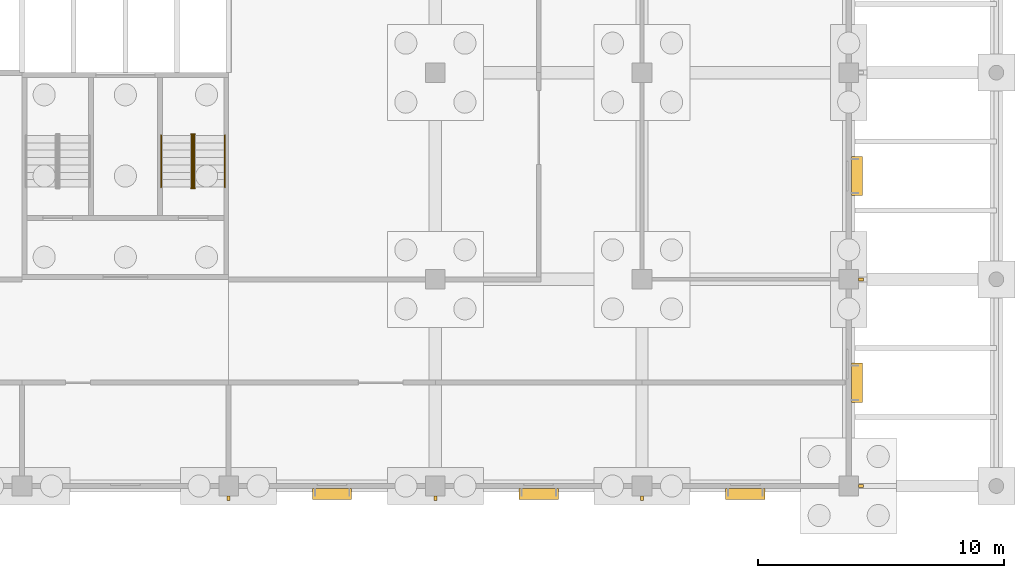
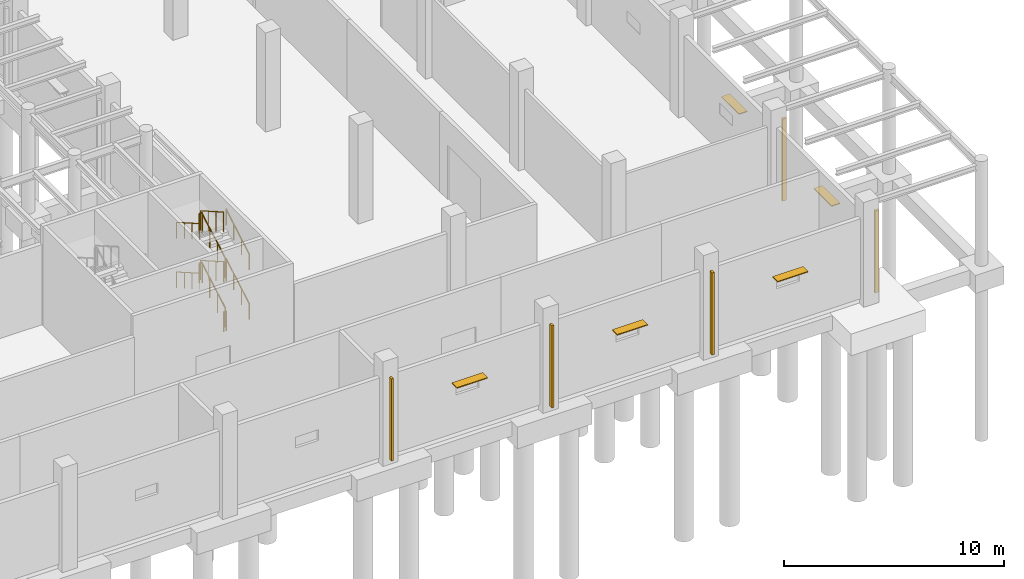
# One storey, part 75 of 82: 12 railings, 10 shading devices.
"""IFC4 building model written with IfcOpenShell, lengths in metres."""

from ifc_helpers import new_model, si_unit, direction, frame, origin, origin_2d, place, context, subcontext, project, spatial, rectangle, circle, extrude, material, material_profile, profile_set, type_object, element, save


model = new_model("IFC4")

# Units and contexts
model_context = context("Model", 3, precision=1e-05, world=origin(), true_north=direction((0.0, 1.0)))
body_context = subcontext(model_context, "Body", "Model", "MODEL_VIEW")
ifc_project = project(units=[si_unit("LENGTHUNIT", "METRE"), si_unit("AREAUNIT", "SQUARE_METRE"), si_unit("VOLUMEUNIT", "CUBIC_METRE"), si_unit("PLANEANGLEUNIT", "RADIAN"), si_unit("MASSUNIT", "GRAM", prefix="KILO")], contexts=[model_context])

# Site, building, storey
site_placement = place(None, origin())
site = spatial("IfcSite", under=ifc_project, at=site_placement, CompositionType="ELEMENT")
building_placement = place(site_placement, origin())
building = spatial("IfcBuilding", under=site, at=building_placement, Name="Almond Square Museum", CompositionType="ELEMENT")
storey_placement = place(building_placement, origin())
storey = spatial("IfcBuildingStorey", under=building, at=storey_placement, Name="L00", CompositionType="ELEMENT", Elevation=0.0)

# Railings
ifc_material_1 = material(Name="Stainless steel and laminated glass", Category="steel")
railing_type_1 = type_object("IfcRailingType", Name="Stair guard 1100 steel and glass", PredefinedType="GUARDRAIL", material=ifc_material_1)
railing_1_placement = place(storey_placement, frame((130.590087890625, 12.14990234375, 0.171875)))
element("IfcRailing", 1, at=railing_1_placement, inside=storey, type_object=railing_type_1, Name="L00 ST-32 stair guard 1", PredefinedType="GUARDRAIL", context=body_context, shape_type="SweptSolid", body=[
    extrude(circle(Radius=0.02392578125, at=origin_2d()), frame((0.0, 0.0, 1.076171875), z_axis=(0.0, 0.867696358075, 0.497094588769), x_axis=(-1.0, 0.0, 0.0)), (0.0, 0.0, 1.0), 2.42041015625),
    extrude(circle(Radius=0.02099609375, at=origin_2d()), origin(), (0.0, 0.0, 1.0), 1.052001953125),
    extrude(circle(Radius=0.02099609375, at=origin_2d()), frame((0.0, 0.699951171875, 0.401123046875)), (0.0, 0.0, 1.0), 1.052001953125),
    extrude(circle(Radius=0.02099609375, at=origin_2d()), frame((0.0, 1.400146484375, 0.802001953125)), (0.0, 0.0, 1.0), 1.052001953125),
    extrude(circle(Radius=0.02099609375, at=origin_2d()), frame((0.0, 2.10009765625, 1.203125)), (0.0, 0.0, 1.0), 1.052001953125),
])
railing_2_placement = place(storey_placement, frame((130.6201171875, 14.300048828125, 1.375)))
element("IfcRailing", 2, at=railing_2_placement, inside=storey, type_object=railing_type_1, Name="L00 ST-32 stair guard 2", PredefinedType="GUARDRAIL", context=body_context, shape_type="SweptSolid", body=[
    extrude(circle(Radius=0.02392578125, at=origin_2d()), frame((0.0, 0.0, 1.076171875), z_axis=(-1.0, 0.0, 0.0), x_axis=(0.0, -1.0, 0.0)), (0.0, 0.0, 1.0), 0.14013671875),
    extrude(circle(Radius=0.02099609375, at=origin_2d()), origin(), (0.0, 0.0, 1.0), 1.052001953125),
    extrude(circle(Radius=0.02099609375, at=origin_2d()), frame((-0.14013671875, 0.0, 0.0)), (0.0, 0.0, 1.0), 1.052001953125),
])
railing_3_placement = place(storey_placement, frame((130.510009765625, 14.25, 1.546875)))
element("IfcRailing", 3, at=railing_3_placement, inside=storey, type_object=railing_type_1, Name="L00 ST-32 stair guard 3", PredefinedType="GUARDRAIL", context=body_context, shape_type="SweptSolid", body=[
    extrude(circle(Radius=0.02392578125, at=origin_2d()), frame((0.0, 0.0, 1.076171875), z_axis=(0.0, -0.867696358075, 0.497094588769), x_axis=(1.0, 0.0, 0.0)), (0.0, 0.0, 1.0), 2.42041015625),
    extrude(circle(Radius=0.02099609375, at=origin_2d()), origin(), (0.0, 0.0, 1.0), 1.052001953125),
    extrude(circle(Radius=0.02099609375, at=origin_2d()), frame((0.0, -0.699951171875, 0.401123046875)), (0.0, 0.0, 1.0), 1.052001953125),
    extrude(circle(Radius=0.02099609375, at=origin_2d()), frame((0.0, -1.400146484375, 0.802001953125)), (0.0, 0.0, 1.0), 1.052001953125),
    extrude(circle(Radius=0.02099609375, at=origin_2d()), frame((0.0, -2.10009765625, 1.203125)), (0.0, 0.0, 1.0), 1.052001953125),
])
railing_4_placement = place(storey_placement, frame((130.6201171875, 12.10009765625, 2.75)))
element("IfcRailing", 4, at=railing_4_placement, inside=storey, type_object=railing_type_1, Name="L00 ST-32 stair guard 4", PredefinedType="GUARDRAIL", context=body_context, shape_type="SweptSolid", body=[
    extrude(circle(Radius=0.02392578125, at=origin_2d()), frame((0.0, 0.0, 1.076171875), z_axis=(-1.0, 0.0, 0.0), x_axis=(0.0, -1.0, 0.0)), (0.0, 0.0, 1.0), 0.14013671875),
    extrude(circle(Radius=0.02099609375, at=origin_2d()), origin(), (0.0, 0.0, 1.0), 1.052001953125),
    extrude(circle(Radius=0.02099609375, at=origin_2d()), frame((-0.14013671875, 0.0, 0.0)), (0.0, 0.0, 1.0), 1.052001953125),
])
railing_5_placement = place(storey_placement, frame((130.590087890625, 12.14990234375, 2.921875)))
element("IfcRailing", 5, at=railing_5_placement, inside=storey, type_object=railing_type_1, Name="L00 ST-32 stair guard 5", PredefinedType="GUARDRAIL", context=body_context, shape_type="SweptSolid", body=[
    extrude(circle(Radius=0.02392578125, at=origin_2d()), frame((0.0, 0.0, 1.076171875), z_axis=(0.0, 0.867696358075, 0.497094588769), x_axis=(-1.0, 0.0, 0.0)), (0.0, 0.0, 1.0), 2.42041015625),
    extrude(circle(Radius=0.02099609375, at=origin_2d()), origin(), (0.0, 0.0, 1.0), 1.052001953125),
    extrude(circle(Radius=0.02099609375, at=origin_2d()), frame((0.0, 0.699951171875, 0.401123046875)), (0.0, 0.0, 1.0), 1.052001953125),
    extrude(circle(Radius=0.02099609375, at=origin_2d()), frame((0.0, 1.400146484375, 0.802001953125)), (0.0, 0.0, 1.0), 1.052001953125),
    extrude(circle(Radius=0.02099609375, at=origin_2d()), frame((0.0, 2.10009765625, 1.203125)), (0.0, 0.0, 1.0), 1.052001953125),
])
railing_6_placement = place(storey_placement, frame((130.6201171875, 14.300048828125, 4.125)))
element("IfcRailing", 6, at=railing_6_placement, inside=storey, type_object=railing_type_1, Name="L00 ST-32 stair guard 6", PredefinedType="GUARDRAIL", context=body_context, shape_type="SweptSolid", body=[
    extrude(circle(Radius=0.02392578125, at=origin_2d()), frame((0.0, 0.0, 1.076171875), z_axis=(-1.0, 0.0, 0.0), x_axis=(0.0, -1.0, 0.0)), (0.0, 0.0, 1.0), 0.14013671875),
    extrude(circle(Radius=0.02099609375, at=origin_2d()), origin(), (0.0, 0.0, 1.0), 1.052001953125),
    extrude(circle(Radius=0.02099609375, at=origin_2d()), frame((-0.14013671875, 0.0, 0.0)), (0.0, 0.0, 1.0), 1.052001953125),
])
railing_7_placement = place(storey_placement, frame((130.510009765625, 14.25, 4.296875)))
element("IfcRailing", 7, at=railing_7_placement, inside=storey, type_object=railing_type_1, Name="L00 ST-32 stair guard 7", PredefinedType="GUARDRAIL", context=body_context, shape_type="SweptSolid", body=[
    extrude(circle(Radius=0.02392578125, at=origin_2d()), frame((0.0, 0.0, 1.076171875), z_axis=(0.0, -0.867696358075, 0.497094588769), x_axis=(1.0, 0.0, 0.0)), (0.0, 0.0, 1.0), 2.42041015625),
    extrude(circle(Radius=0.02099609375, at=origin_2d()), origin(), (0.0, 0.0, 1.0), 1.052001953125),
    extrude(circle(Radius=0.02099609375, at=origin_2d()), frame((0.0, -0.699951171875, 0.401123046875)), (0.0, 0.0, 1.0), 1.052001953125),
    extrude(circle(Radius=0.02099609375, at=origin_2d()), frame((0.0, -1.400146484375, 0.802001953125)), (0.0, 0.0, 1.0), 1.052001953125),
    extrude(circle(Radius=0.02099609375, at=origin_2d()), frame((0.0, -2.10009765625, 1.203125)), (0.0, 0.0, 1.0), 1.052001953125),
])
railing_8_placement = place(storey_placement, frame((130.6201171875, 12.10009765625, 0.0)))
element("IfcRailing", 8, at=railing_8_placement, inside=storey, type_object=railing_type_1, Name="L00 ST-32 stair guard 8", PredefinedType="GUARDRAIL", context=body_context, shape_type="SweptSolid", body=[
    extrude(circle(Radius=0.02392578125, at=origin_2d()), frame((0.0, 0.0, 1.076171875), z_axis=(-1.0, 0.0, 0.0), x_axis=(0.0, -1.0, 0.0)), (0.0, 0.0, 1.0), 0.14013671875),
    extrude(circle(Radius=0.02099609375, at=origin_2d()), origin(), (0.0, 0.0, 1.0), 1.052001953125),
    extrude(circle(Radius=0.02099609375, at=origin_2d()), frame((-0.14013671875, 0.0, 0.0)), (0.0, 0.0, 1.0), 1.052001953125),
])
ifc_material_2 = material(Name="Stainless steel", Category="steel")
railing_type_2 = type_object("IfcRailingType", Name="Stair handrail 900 steel", PredefinedType="HANDRAIL", material=ifc_material_2)
railing_9_placement = place(storey_placement, frame((131.844970703125, 12.14990234375, 0.171875)))
element("IfcRailing", 9, at=railing_9_placement, inside=storey, type_object=railing_type_2, Name="L00 ST-32 stair handrail 1", PredefinedType="HANDRAIL", context=body_context, shape_type="SweptSolid", body=[
    extrude(circle(Radius=0.02392578125, at=origin_2d()), frame((0.0, 0.0, 0.8759765625), z_axis=(0.0, 0.867696358075, 0.497094588769), x_axis=(-1.0, 0.0, 0.0)), (0.0, 0.0, 1.0), 2.42041015625),
    extrude(circle(Radius=0.02099609375, at=origin_2d()), origin(), (0.0, 0.0, 1.0), 0.851806640625),
    extrude(circle(Radius=0.02099609375, at=origin_2d()), frame((0.0, 0.699951171875, 0.401123046875)), (0.0, 0.0, 1.0), 0.851806640625),
    extrude(circle(Radius=0.02099609375, at=origin_2d()), frame((0.0, 1.400146484375, 0.802001953125)), (0.0, 0.0, 1.0), 0.851806640625),
    extrude(circle(Radius=0.02099609375, at=origin_2d()), frame((0.0, 2.10009765625, 1.203125)), (0.0, 0.0, 1.0), 0.851806640625),
])
railing_10_placement = place(storey_placement, frame((129.2548828125, 14.25, 1.546875)))
element("IfcRailing", 10, at=railing_10_placement, inside=storey, type_object=railing_type_2, Name="L00 ST-32 stair handrail 2", PredefinedType="HANDRAIL", context=body_context, shape_type="SweptSolid", body=[
    extrude(circle(Radius=0.02392578125, at=origin_2d()), frame((0.0, 0.0, 0.8759765625), z_axis=(0.0, -0.867696358075, 0.497094588769), x_axis=(1.0, 0.0, 0.0)), (0.0, 0.0, 1.0), 2.42041015625),
    extrude(circle(Radius=0.02099609375, at=origin_2d()), origin(), (0.0, 0.0, 1.0), 0.851806640625),
    extrude(circle(Radius=0.02099609375, at=origin_2d()), frame((0.0, -0.699951171875, 0.401123046875)), (0.0, 0.0, 1.0), 0.851806640625),
    extrude(circle(Radius=0.02099609375, at=origin_2d()), frame((0.0, -1.400146484375, 0.802001953125)), (0.0, 0.0, 1.0), 0.851806640625),
    extrude(circle(Radius=0.02099609375, at=origin_2d()), frame((0.0, -2.10009765625, 1.203125)), (0.0, 0.0, 1.0), 0.851806640625),
])
railing_11_placement = place(storey_placement, frame((131.844970703125, 12.14990234375, 2.921875)))
element("IfcRailing", 11, at=railing_11_placement, inside=storey, type_object=railing_type_2, Name="L00 ST-32 stair handrail 3", PredefinedType="HANDRAIL", context=body_context, shape_type="SweptSolid", body=[
    extrude(circle(Radius=0.02392578125, at=origin_2d()), frame((0.0, 0.0, 0.8759765625), z_axis=(0.0, 0.867696358075, 0.497094588769), x_axis=(-1.0, 0.0, 0.0)), (0.0, 0.0, 1.0), 2.42041015625),
    extrude(circle(Radius=0.02099609375, at=origin_2d()), origin(), (0.0, 0.0, 1.0), 0.851806640625),
    extrude(circle(Radius=0.02099609375, at=origin_2d()), frame((0.0, 0.699951171875, 0.401123046875)), (0.0, 0.0, 1.0), 0.851806640625),
    extrude(circle(Radius=0.02099609375, at=origin_2d()), frame((0.0, 1.400146484375, 0.802001953125)), (0.0, 0.0, 1.0), 0.851806640625),
    extrude(circle(Radius=0.02099609375, at=origin_2d()), frame((0.0, 2.10009765625, 1.203125)), (0.0, 0.0, 1.0), 0.851806640625),
])
railing_12_placement = place(storey_placement, frame((129.2548828125, 14.25, 4.296875)))
element("IfcRailing", 12, at=railing_12_placement, inside=storey, type_object=railing_type_2, Name="L00 ST-32 stair handrail 4", PredefinedType="HANDRAIL", context=body_context, shape_type="SweptSolid", body=[
    extrude(circle(Radius=0.02392578125, at=origin_2d()), frame((0.0, 0.0, 0.8759765625), z_axis=(0.0, -0.867696358075, 0.497094588769), x_axis=(1.0, 0.0, 0.0)), (0.0, 0.0, 1.0), 2.42041015625),
    extrude(circle(Radius=0.02099609375, at=origin_2d()), origin(), (0.0, 0.0, 1.0), 0.851806640625),
    extrude(circle(Radius=0.02099609375, at=origin_2d()), frame((0.0, -0.699951171875, 0.401123046875)), (0.0, 0.0, 1.0), 0.851806640625),
    extrude(circle(Radius=0.02099609375, at=origin_2d()), frame((0.0, -1.400146484375, 0.802001953125)), (0.0, 0.0, 1.0), 0.851806640625),
    extrude(circle(Radius=0.02099609375, at=origin_2d()), frame((0.0, -2.10009765625, 1.203125)), (0.0, 0.0, 1.0), 0.851806640625),
])

# Shading devices
ifc_material_3 = material(Name="Anodised aluminium", Category="aluminium")
ifc_material_profile_1 = material_profile(ifc_material_3, rectangle(XDim=0.449951171875, YDim=0.050048828125, at=origin_2d()))
ifc_profile_set_1 = profile_set([ifc_material_profile_1], Name="Anodised aluminium")
shading_device_type_1 = type_object("IfcShadingDeviceType", Name="Sun-shade blade 450 x 50", PredefinedType="USERDEFINED", material=ifc_profile_set_1)
shading_device_1_placement = place(storey_placement, frame((135.39990234375, -0.3330078125, 2.820068359375), z_axis=(1.0, 0.0, 0.0), x_axis=(0.0, 1.0, 0.0)))
element("IfcShadingDevice", 13, at=shading_device_1_placement, inside=storey, type_object=shading_device_type_1, Name="Sun-shade blade", ObjectType="LOUVRE", PredefinedType="USERDEFINED", context=body_context, shape_type="SweptSolid", body=[
    extrude(rectangle(XDim=0.449951171875, YDim=0.050048828125, at=origin_2d()), origin(), (0.0, 0.0, 1.0), 1.60009765625),
])
shading_device_2_placement = place(storey_placement, frame((143.800048828125, -0.3330078125, 2.820068359375), z_axis=(1.0, 0.0, 0.0), x_axis=(0.0, 1.0, 0.0)))
element("IfcShadingDevice", 14, at=shading_device_2_placement, inside=storey, type_object=shading_device_type_1, Name="Sun-shade blade", ObjectType="LOUVRE", PredefinedType="USERDEFINED", context=body_context, shape_type="SweptSolid", body=[
    extrude(rectangle(XDim=0.449951171875, YDim=0.050048828125, at=origin_2d()), origin(), (0.0, 0.0, 1.0), 1.599853515625),
])
for number, where, z_axis, x_axis, name in (
    (15, (152.199951171875, -0.3330078125, 2.820068359375), (1.0, 0.0, 0.0), (0.0, 1.0, 0.0), "Sun-shade blade"),
    (16, (157.532958984375, 3.39990234375, 2.820068359375), (0.0, 1.0, 0.0), (-1.0, 0.0, 0.0), "Sun-shade blade"),
):
    element("IfcShadingDevice", number, at=place(storey_placement, frame(where, z_axis=z_axis, x_axis=x_axis)), inside=storey, type_object=shading_device_type_1, Name=name, ObjectType="LOUVRE", PredefinedType="USERDEFINED", context=body_context, shape_type="SweptSolid", body=[
        extrude(rectangle(XDim=0.449951171875, YDim=0.050048828125, at=origin_2d()), origin(), (0.0, 0.0, 1.0), 1.60009765625),
    ])
shading_device_3_placement = place(storey_placement, frame((157.532958984375, 11.800048828125, 2.820068359375), z_axis=(0.0, 1.0, 0.0), x_axis=(-1.0, 0.0, 0.0)))
element("IfcShadingDevice", 17, at=shading_device_3_placement, inside=storey, type_object=shading_device_type_1, Name="Sun-shade blade", ObjectType="LOUVRE", PredefinedType="USERDEFINED", context=body_context, shape_type="SweptSolid", body=[
    extrude(rectangle(XDim=0.449951171875, YDim=0.050048828125, at=origin_2d()), origin(), (0.0, 0.0, 1.0), 1.599853515625),
])
ifc_material_4 = material(Name="Anodised aluminium", Category="aluminium")
ifc_material_profile_2 = material_profile(ifc_material_4, rectangle(XDim=0.199951171875, YDim=0.1201171875, at=origin_2d()))
ifc_profile_set_2 = profile_set([ifc_material_profile_2], Name="Anodised aluminium")
shading_device_type_2 = type_object("IfcShadingDeviceType", Name="Vertical aluminium fin 200 x 120", PredefinedType="USERDEFINED", material=ifc_profile_set_2)
for number, where, z_axis, x_axis, name in (
    (18, (132.0, -0.498046875, 0.0), (0.0, 0.0, 1.0), (0.0, -1.0, 0.0), "Vertical fin V5E L00 S01"),
    (19, (140.39990234375, -0.498046875, 0.0), (0.0, 0.0, 1.0), (0.0, -1.0, 0.0), "Vertical fin V5E L00 S02"),
    (20, (148.800048828125, -0.498046875, 0.0), (0.0, 0.0, 1.0), (0.0, -1.0, 0.0), "Vertical fin V5E L00 S03"),
    (21, (157.697998046875, 0.0, 0.0), (0.0, 0.0, 1.0), (1.0, 0.0, 0.0), "Vertical fin V5E L00 E01"),
    (22, (157.697998046875, 8.39990234375, 0.0), (0.0, 0.0, 1.0), (1.0, 0.0, 0.0), "Vertical fin V5E L00 E02"),
):
    element("IfcShadingDevice", number, at=place(storey_placement, frame(where, z_axis=z_axis, x_axis=x_axis)), inside=storey, type_object=shading_device_type_2, Name=name, ObjectType="FIN", PredefinedType="USERDEFINED", context=body_context, shape_type="SweptSolid", body=[
        extrude(rectangle(XDim=0.199951171875, YDim=0.1201171875, at=origin_2d()), origin(), (0.0, 0.0, 1.0), 4.550048828125),
    ])

save(model, "model.ifc")
